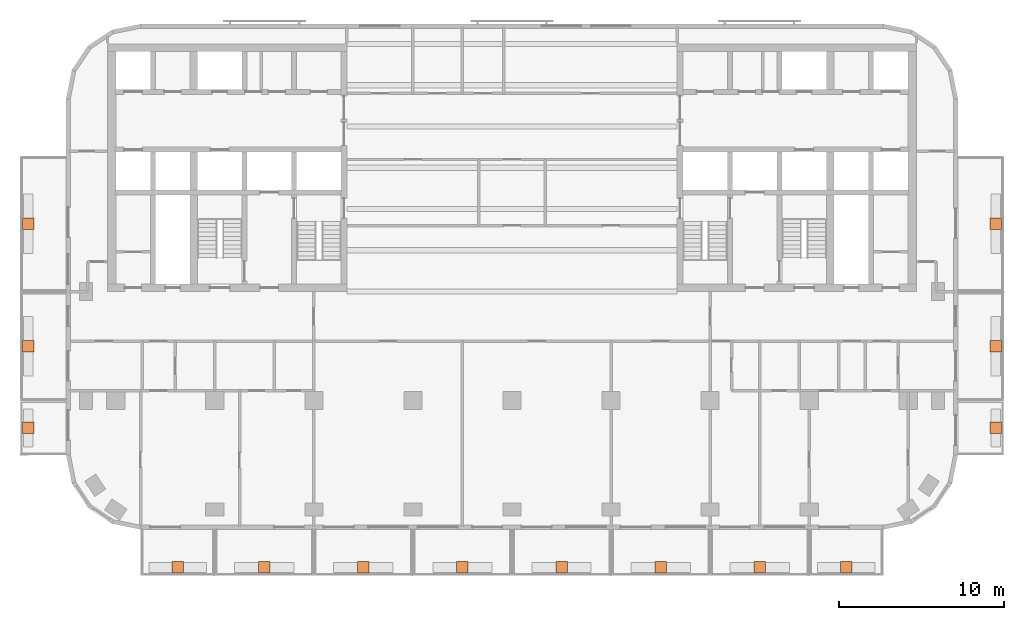
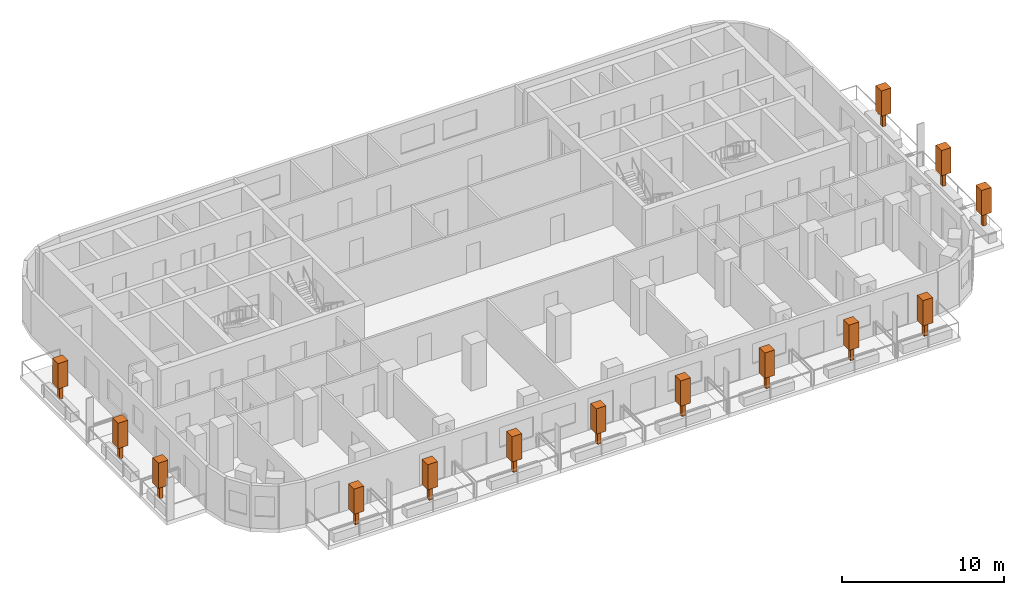
# One storey, part 11 of 11: 14 geographic elements.
"""IFC4 building model written with IfcOpenShell, lengths in metres."""

from ifc_helpers import new_model, si_unit, direction, frame, origin, origin_2d, place, context, subcontext, project, spatial, rectangle, extrude, material, element, save


model = new_model("IFC4")

# Units and contexts
model_context = context("Model", 3, precision=1e-05, world=origin(), true_north=direction((0.0, 1.0)))
body_context = subcontext(model_context, "Body", "Model", "MODEL_VIEW")
ifc_project = project(units=[si_unit("LENGTHUNIT", "METRE"), si_unit("AREAUNIT", "SQUARE_METRE"), si_unit("VOLUMEUNIT", "CUBIC_METRE"), si_unit("PLANEANGLEUNIT", "RADIAN"), si_unit("MASSUNIT", "GRAM", prefix="KILO")], contexts=[model_context])

# Site, building, storey
site_placement = place(None, origin())
site = spatial("IfcSite", under=ifc_project, at=site_placement, CompositionType="ELEMENT")
building_placement = place(site_placement, origin())
building = spatial("IfcBuilding", under=site, at=building_placement, Name="Torana Hotel and Residences", CompositionType="ELEMENT")
storey_placement = place(building_placement, frame((0.0, 0.0, 225.60009765625)))
storey = spatial("IfcBuildingStorey", under=building, at=storey_placement, Name="L59", CompositionType="ELEMENT", Elevation=225.60009765625)

# Geographic elements
ifc_material = material(Name="Foliage", Category="planting")
for number, where, z_axis, x_axis, name in (
    (1, (-20.25, -31.699951171875, 0.64990234375), (0.0, 0.0, 1.0), (1.0, 0.0, 0.0), "Tree 01"),
    (2, (-15.0, -31.699951171875, 0.64990234375), (0.0, 0.0, 1.0), (1.0, 0.0, 0.0), "Tree 02"),
    (3, (-9.0, -31.699951171875, 0.64990234375), (0.0, 0.0, 1.0), (1.0, 0.0, 0.0), "Tree 03"),
    (4, (-3.0, -31.699951171875, 0.64990234375), (0.0, 0.0, 1.0), (1.0, 0.0, 0.0), "Tree 04"),
    (5, (3.0, -31.699951171875, 0.64990234375), (0.0, 0.0, 1.0), (1.0, 0.0, 0.0), "Tree 05"),
    (6, (9.0, -31.699951171875, 0.64990234375), (0.0, 0.0, 1.0), (1.0, 0.0, 0.0), "Tree 06"),
    (7, (15.0, -31.699951171875, 0.64990234375), (0.0, 0.0, 1.0), (1.0, 0.0, 0.0), "Tree 07"),
    (8, (20.25, -31.699951171875, 0.64990234375), (0.0, 0.0, 1.0), (1.0, 0.0, 0.0), "Tree 08"),
    (9, (-29.300048828125, -23.25, 0.64990234375), (0.0, 0.0, 1.0), (1.0, 0.0, 0.0), "Tree 09"),
    (10, (-29.300048828125, -18.300048828125, 0.64990234375), (0.0, 0.0, 1.0), (1.0, 0.0, 0.0), "Tree 10"),
    (11, (-29.300048828125, -10.89990234375, 0.64990234375), (0.0, 0.0, 1.0), (1.0, 0.0, 0.0), "Tree 11"),
    (12, (29.300048828125, -23.25, 0.64990234375), (0.0, 0.0, 1.0), (1.0, 0.0, 0.0), "Tree 12"),
    (13, (29.300048828125, -18.300048828125, 0.64990234375), (0.0, 0.0, 1.0), (1.0, 0.0, 0.0), "Tree 13"),
    (14, (29.300048828125, -10.89990234375, 0.64990234375), (0.0, 0.0, 1.0), (1.0, 0.0, 0.0), "Tree 14"),
):
    element("IfcGeographicElement", number, at=place(storey_placement, frame(where, z_axis=z_axis, x_axis=x_axis)), inside=storey, material=ifc_material, Name=name, ObjectType="TREE", PredefinedType="USERDEFINED", context=body_context, shape_type="SweptSolid", body=[
        extrude(rectangle(XDim=0.25, YDim=0.25, at=origin_2d()), origin(), (0.0, 0.0, 1.0), 1.0),
        extrude(rectangle(XDim=0.699951171875, YDim=0.699951171875, at=origin_2d()), frame((0.0, 0.0, 1.0)), (0.0, 0.0, 1.0), 1.89990234375),
    ])

save(model, "model.ifc")
